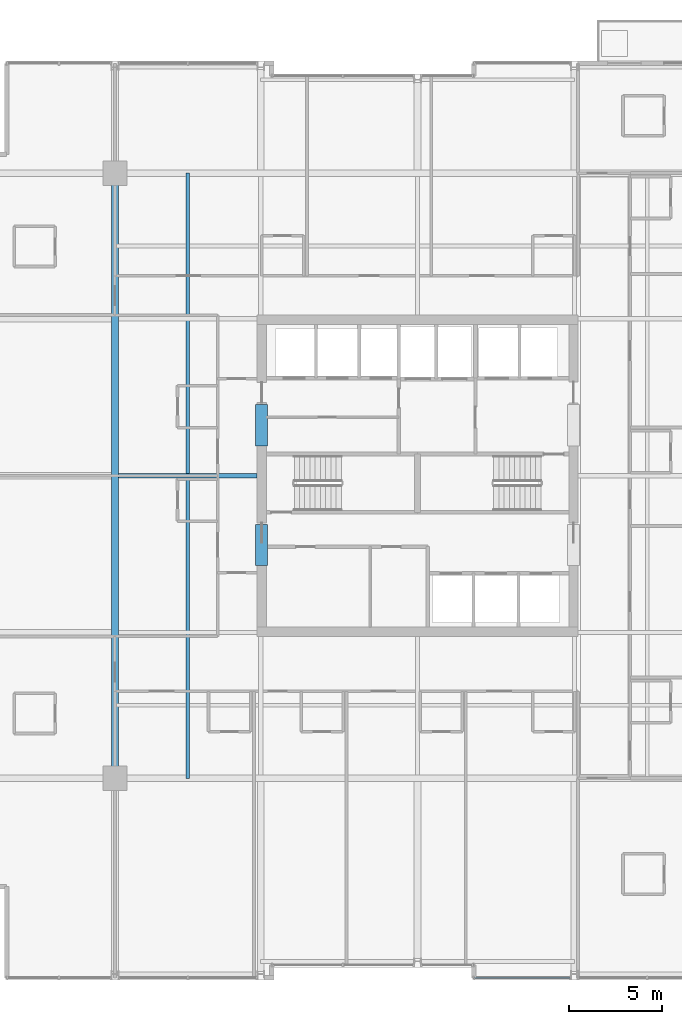
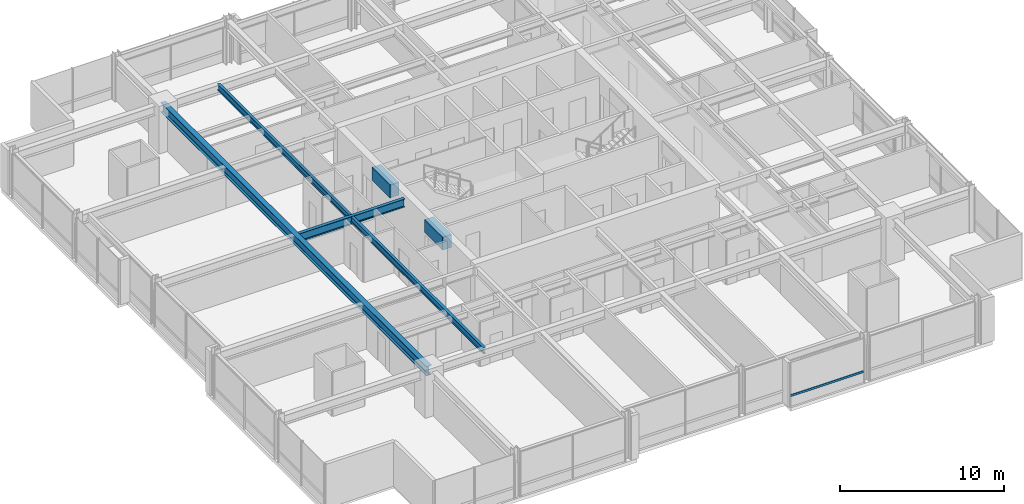
# One storey, part 10 of 33: 5 beams, 1 member, 1 element without a shape of its own.
"""IFC4 building model written with IfcOpenShell, lengths in metres."""

from ifc_helpers import new_model, si_unit, direction, frame, origin, origin_2d, place, context, subcontext, project, spatial, rectangle, hollow_rectangle, i_section, extrude, material, layer, layer_set, material_profile, profile_set, type_object, element, aggregate, save


model = new_model("IFC4")

# Units and contexts
model_context = context("Model", 3, precision=1e-05, world=origin(), true_north=direction((0.0, 1.0)))
body_context = subcontext(model_context, "Body", "Model", "MODEL_VIEW")
ifc_project = project(units=[si_unit("LENGTHUNIT", "METRE"), si_unit("AREAUNIT", "SQUARE_METRE"), si_unit("VOLUMEUNIT", "CUBIC_METRE"), si_unit("PLANEANGLEUNIT", "RADIAN"), si_unit("MASSUNIT", "GRAM", prefix="KILO")], contexts=[model_context])

# Site, building, storey
site_placement = place(None, origin())
site = spatial("IfcSite", under=ifc_project, at=site_placement, CompositionType="ELEMENT")
building_placement = place(site_placement, origin())
building = spatial("IfcBuilding", under=site, at=building_placement, Name="Drelvath Grand Hotel", CompositionType="ELEMENT")
storey_placement = place(building_placement, frame((0.0, 0.0, 171.699951171875)))
storey = spatial("IfcBuildingStorey", under=building, at=storey_placement, Name="L44", CompositionType="ELEMENT", Elevation=171.699951171875)

# Beams
ifc_material_1 = material(Name="Steel ASTM A992 Gr 50", Category="steel")
ifc_material_profile_1 = material_profile(ifc_material_1, i_section(OverallWidth=0.19140625, OverallDepth=0.4599609375, WebThickness=0.010009765625, FlangeThickness=0.01611328125, FilletRadius=0.01611328125, at=origin_2d()), Name="W18X55")
ifc_profile_set_1 = profile_set([ifc_material_profile_1], Name="Steel ASTM A992 Gr 50")
beam_type_1 = type_object("IfcBeamType", Name="Composite Floor Joist W18X55", PredefinedType="JOIST", material=ifc_profile_set_1)
beam_1_placement = place(storey_placement, frame((-12.300048828125, 10.800048828125, 3.06005859375), z_axis=(0.0, 1.0, 0.0), x_axis=(-1.0, 0.0, 0.0)))
element("IfcBeam", 1, at=beam_1_placement, inside=storey, type_object=beam_type_1, Name="L44 Wing Floor Joist J3", PredefinedType="JOIST", context=body_context, shape_type="SweptSolid", body=[
    extrude(i_section(OverallWidth=0.19140625, OverallDepth=0.4599609375, WebThickness=0.010009765625, FlangeThickness=0.01611328125, FilletRadius=0.01611328125, at=origin_2d()), origin(), (0.0, 0.0, 1.0), 32.39990234375),
])
ifc_material_2 = material(Name="Concrete f'c 55 MPa", Category="concrete")
ifc_material_profile_2 = material_profile(ifc_material_2, rectangle(XDim=0.64990234375, YDim=0.949951171875, at=origin_2d()), Name="CB650X950")
ifc_profile_set_2 = profile_set([ifc_material_profile_2], Name="Concrete f'c 55 MPa")
beam_type_2 = type_object("IfcBeamType", Name="Core Coupling Lintel CB650X950", PredefinedType="LINTEL", material=ifc_profile_set_2)
for number, where, z_axis, x_axis, name in (
    (2, (-8.35009765625, 22.199951171875, 2.81494140625), (0.0, 1.0, 0.0), (-1.0, 0.0, 0.0), "L44 Core Coupling Lintel WS"),
    (3, (-8.35009765625, 28.60009765625, 2.81494140625), (0.0, 1.0, 0.0), (-1.0, 0.0, 0.0), "L44 Core Coupling Lintel WN"),
):
    element("IfcBeam", number, at=place(storey_placement, frame(where, z_axis=z_axis, x_axis=x_axis)), inside=storey, type_object=beam_type_2, Name=name, PredefinedType="LINTEL", context=body_context, shape_type="SweptSolid", body=[
        extrude(rectangle(XDim=0.64990234375, YDim=0.949951171875, at=origin_2d()), origin(), (0.0, 0.0, 1.0), 2.199951171875),
    ])

# Curtain wall, member
ifc_material_3 = material(Name="Brushed Pale-Silver Anodised Aluminium Frame", Category="aluminium")
ifc_layer = layer(ifc_material_3, 0.199951171875)
ifc_layer_set = layer_set([ifc_layer], Name="Brushed Pale-Silver Anodised Aluminium Frame")
curtain_wall_type = type_object("IfcCurtainWallType", Name="Stick Curtain Wall CW-04 Brushed Silver Upper-Mid", PredefinedType="NOTDEFINED", material=ifc_layer_set)
curtain_wall_placement = place(storey_placement, origin())
curtain_wall = element("IfcCurtainWall", 4, at=curtain_wall_placement, inside=storey, type_object=curtain_wall_type, Name="L44 CW-04 Curtain Wall CW04-L44-SE1", PredefinedType="NOTDEFINED")
ifc_material_profile_3 = material_profile(ifc_material_3, hollow_rectangle(XDim=0.06494140625, YDim=0.159912109375, WallThickness=0.00390625, at=origin_2d()), Name="HSS160X65X4")
ifc_profile_set_3 = profile_set([ifc_material_profile_3], Name="Brushed Pale-Silver Anodised Aluminium Frame")
member_type = type_object("IfcMemberType", Name="Curtain Wall Horizontal Transom CW-04 HSS160X65X4", PredefinedType="USERDEFINED", material=ifc_profile_set_3)
member_placement = place(storey_placement, frame((8.159912109375, 0.1201171875, 0.822509765625), z_axis=(-1.0, 0.0, 0.0), x_axis=(0.0, -1.0, 0.0)))
member = element("IfcMember", 5, at=member_placement, type_object=member_type, Name="CW04-L44-SE1 Sill Transom", ObjectType="TRANSOM", PredefinedType="USERDEFINED", context=body_context, shape_type="SweptSolid", body=[
    extrude(hollow_rectangle(XDim=0.06494140625, YDim=0.159912109375, WallThickness=0.00390625, at=origin_2d()), origin(), (0.0, 0.0, 1.0), 5.119873046875),
])
aggregate(curtain_wall, [member])

# Beams
ifc_material_profile_4 = material_profile(ifc_material_1, i_section(OverallWidth=0.228271484375, OverallDepth=0.607666015625, WebThickness=0.01123046875, FlangeThickness=0.017333984375, FilletRadius=0.02001953125, at=origin_2d()), Name="W24X76")
ifc_profile_set_4 = profile_set([ifc_material_profile_4], Name="Steel ASTM A992 Gr 50")
beam_type_3 = type_object("IfcBeamType", Name="Primary Floor Girder W24X76", PredefinedType="BEAM", material=ifc_profile_set_4)
beam_2_placement = place(storey_placement, frame((-16.022705078125, 27.0, 2.986328125), z_axis=(1.0, 0.0, 0.0), x_axis=(0.0, 1.0, 0.0)))
element("IfcBeam", 6, at=beam_2_placement, inside=storey, type_object=beam_type_3, Name="L44 West Core Tie E", PredefinedType="BEAM", context=body_context, shape_type="SweptSolid", body=[
    extrude(i_section(OverallWidth=0.228271484375, OverallDepth=0.607666015625, WebThickness=0.01123046875, FlangeThickness=0.017333984375, FilletRadius=0.02001953125, at=origin_2d()), origin(), (0.0, 0.0, 1.0), 7.422607421875),
])
ifc_material_profile_5 = material_profile(ifc_material_1, i_section(OverallWidth=0.354736328125, OverallDepth=0.695556640625, WebThickness=0.015380859375, FlangeThickness=0.025146484375, FilletRadius=0.02392578125, at=origin_2d()), Name="W27X146")
ifc_profile_set_5 = profile_set([ifc_material_profile_5], Name="Steel ASTM A992 Gr 50")
beam_type_4 = type_object("IfcBeamType", Name="Primary Floor Girder W27X146", PredefinedType="BEAM", material=ifc_profile_set_5)
beam_3_placement = place(storey_placement, frame((-16.199951171875, 10.800048828125, 2.9423828125), z_axis=(0.0, 1.0, 0.0), x_axis=(-1.0, 0.0, 0.0)))
element("IfcBeam", 7, at=beam_3_placement, inside=storey, type_object=beam_type_4, Name="L44 Mega Ring Girder West", PredefinedType="BEAM", context=body_context, shape_type="SweptSolid", body=[
    extrude(i_section(OverallWidth=0.354736328125, OverallDepth=0.695556640625, WebThickness=0.015380859375, FlangeThickness=0.025146484375, FilletRadius=0.02392578125, at=origin_2d()), origin(), (0.0, 0.0, 1.0), 32.39990234375),
])

save(model, "model.ifc")
